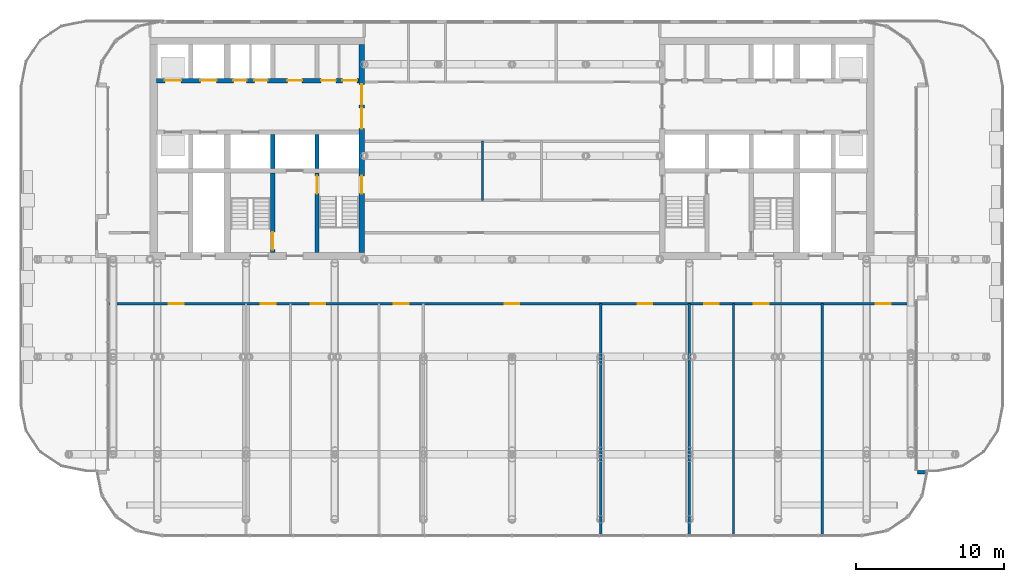
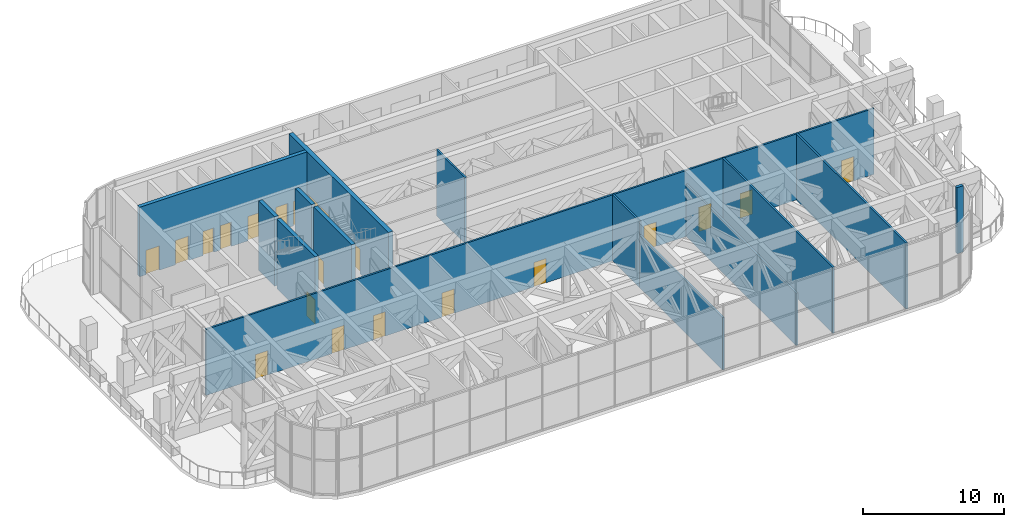
# One storey, part 17 of 25: 21 doors, 14 walls, 21 openings.
"""IFC4 building model written with IfcOpenShell, lengths in metres."""

import ifcopenshell
import ifcopenshell.guid

model = None  # the IFC model being written
_history = None  # IfcOwnerHistory: only IFC2X3 demands one
_inside = {}  # id of a spatial element -> (the spatial element, [elements in it])
_under = {}  # id of a project, library or spatial element -> (it, [spatial elements below it])
_declared = {}  # id of a project -> (the project, [libraries it declares])
_typed = {}  # id of a type object -> (the type object, [elements of that type])
_made_of = {}  # id of a material, layer set ... -> (it, [elements and type objects made of it])


def new_model(schema):
    """Start an empty IFC model of exactly this schema.

    Asked for "IFC4X3", IfcOpenShell would pick the latest addendum, in which some entities
    have other attributes; the version numbers below select the first issue.
    IFC2X3 requires an IfcOwnerHistory on every rooted entity: one is made here for all.
    """
    global model, _history
    if schema == "IFC4X3":
        model = ifcopenshell.file(schema_version=(4, 3, 0, 0))
    else:
        model = ifcopenshell.file(schema=schema)
    _inside.clear()
    _under.clear()
    _declared.clear()
    _typed.clear()
    _made_of.clear()
    _history = None
    if model.schema == "IFC2X3":
        org = make("IfcOrganization", Name="unknown")
        user = make(
            "IfcPersonAndOrganization",
            ThePerson=make("IfcPerson", FamilyName="unknown"),
            TheOrganization=org,
        )
        app = make(
            "IfcApplication",
            ApplicationDeveloper=org,
            Version="unknown",
            ApplicationFullName="unknown",
            ApplicationIdentifier="unknown",
        )
        _history = make(
            "IfcOwnerHistory",
            OwningUser=user,
            OwningApplication=app,
            ChangeAction="ADDED",
            CreationDate=0,
        )
    return model


def make(cls, **values):
    """One entity of the class cls with the attributes given. An attribute that is None is left unset."""
    return model.create_entity(
        cls, **{name: value for name, value in values.items() if value is not None}
    )


def rooted(cls, **values):
    """An entity with a GlobalId (a new one), such as an element, a storey or a relation."""
    return make(cls, GlobalId=ifcopenshell.guid.new(), OwnerHistory=_history, **values)


def si_unit(unit_type, name, prefix=None):
    """IfcSIUnit, for example si_unit("LENGTHUNIT", "METRE", prefix="MILLI")."""
    return make("IfcSIUnit", UnitType=unit_type, Prefix=prefix, Name=name)


def assignment(units):
    """IfcUnitAssignment: the units of a project."""
    return None if units is None else make("IfcUnitAssignment", Units=units)


def point(xyz):
    """IfcCartesianPoint."""
    return None if xyz is None else make("IfcCartesianPoint", Coordinates=xyz)


def direction(xyz):
    """IfcDirection."""
    return None if xyz is None else make("IfcDirection", DirectionRatios=xyz)


def frame(location, z_axis=None, x_axis=None):
    """IfcAxis2Placement3D, a coordinate frame: its origin and axes. An axis left out is left unset."""
    return make(
        "IfcAxis2Placement3D",
        Location=point(location),
        Axis=direction(z_axis),
        RefDirection=direction(x_axis),
    )


def frame_2d(location, x_axis=None):
    """IfcAxis2Placement2D, a coordinate frame in the plane: its origin and x axis."""
    return make(
        "IfcAxis2Placement2D", Location=point(location), RefDirection=direction(x_axis)
    )


def origin():
    """The frame at (0, 0, 0) with its axes left unset."""
    return frame((0.0, 0.0, 0.0))


def place(relative_to, where):
    """IfcLocalPlacement: puts the frame where relative to a parent placement (None: the world)."""
    return make(
        "IfcLocalPlacement", PlacementRelTo=relative_to, RelativePlacement=where
    )


def context(
    kind, dimensions, precision=None, world=None, true_north=None, identifier=None
):
    """IfcGeometricRepresentationContext, for example the 3D "Model" context."""
    return make(
        "IfcGeometricRepresentationContext",
        ContextIdentifier=identifier,
        ContextType=kind,
        CoordinateSpaceDimension=dimensions,
        Precision=precision,
        WorldCoordinateSystem=world,
        TrueNorth=true_north,
    )


def subcontext(parent, identifier, kind, view, scale=None):
    """IfcGeometricRepresentationSubContext, for example "Body" below "Model"."""
    return make(
        "IfcGeometricRepresentationSubContext",
        ContextIdentifier=identifier,
        ContextType=kind,
        ParentContext=parent,
        TargetScale=scale,
        TargetView=view,
    )


def project(units=None, contexts=None):
    """IfcProject with its units and contexts."""
    return rooted(
        "IfcProject",
        Name="project",
        RepresentationContexts=contexts,
        UnitsInContext=assignment(units),
    )


def spatial(cls, under=None, at=None, **own):
    """A site, building, storey or space (cls), placed at a placement, below another one or the project."""
    s = rooted(cls, ObjectPlacement=at, **own)
    if under is not None:
        _under.setdefault(under.id(), (under, []))[1].append(s)
    return s


def profile(cls, at=None, kind="AREA", **sizes):
    """A parametric profile (cls). Its sizes go by their IFC names, for example OverallWidth=200.0."""
    return make(cls, ProfileType=kind, Position=at, **sizes)


def rectangle(**sizes):
    """IfcRectangleProfileDef."""
    return profile("IfcRectangleProfileDef", **sizes)


def extrude(swept, where, along, depth):
    """IfcExtrudedAreaSolid: the profile swept, set in the frame where, extruded along a direction by depth."""
    return make(
        "IfcExtrudedAreaSolid",
        SweptArea=swept,
        Position=where,
        ExtrudedDirection=direction(along),
        Depth=depth,
    )


def shape(context_of_items, identifier, shape_type, items):
    """IfcShapeRepresentation: the items that make up one representation, for example the "Body"."""
    return make(
        "IfcShapeRepresentation",
        ContextOfItems=context_of_items,
        RepresentationIdentifier=identifier,
        RepresentationType=shape_type,
        Items=items,
    )


def material(Name=None, Category=None):
    """IfcMaterial."""
    return make("IfcMaterial", Name=Name, Category=Category)


def layer(
    of_material, thickness, ventilated=None, Name=None, Category=None, Priority=None
):
    """IfcMaterialLayer: one layer of a wall or slab, of a material (None: an air gap)."""
    return make(
        "IfcMaterialLayer",
        Material=of_material,
        LayerThickness=thickness,
        IsVentilated=ventilated,
        Name=Name,
        Category=Category,
        Priority=Priority,
    )


def layer_set(layers, Name=None):
    """IfcMaterialLayerSet."""
    return make("IfcMaterialLayerSet", MaterialLayers=layers, LayerSetName=Name)


def made_of(thing, what):
    """Note that an element or type object is made of a material, layer set ...; save() writes the relation."""
    if what is not None:
        _made_of.setdefault(what.id(), (what, []))[1].append(thing)
    return thing


def type_object(cls, material=None, **own):
    """A type object (cls), such as IfcWallType, which elements share."""
    return made_of(rooted(cls, **own), material)


def element(
    cls,
    number,
    at=None,
    inside=None,
    cuts=None,
    type_object=None,
    material=None,
    context=None,
    identifier="Body",
    shape_type=None,
    held_by="IfcProductDefinitionShape",
    body=None,
    shapes=None,
    **own,
):
    """One element of the class cls, such as IfcWall. Its Tag is "e" and its number.

    at: its placement. inside: the storey or other place that contains it. cuts: it is an
    opening in that element (IfcRelVoidsElement). A single representation is given by context,
    identifier, shape_type and body (its items); several are given by shapes. held_by: the class
    of the entity that holds the representations. save() writes the other relations.
    """
    e = rooted(cls, Tag="e%d" % number, ObjectPlacement=at, **own)
    if body is not None:
        shapes = [shape(context, identifier, shape_type, body)]
    if shapes is not None:
        e.Representation = make(held_by, Representations=shapes)
    if inside is not None:
        _inside.setdefault(inside.id(), (inside, []))[1].append(e)
    if cuts is not None:
        rooted(
            "IfcRelVoidsElement", RelatingBuildingElement=cuts, RelatedOpeningElement=e
        )
    if type_object is not None:
        _typed.setdefault(type_object.id(), (type_object, []))[1].append(e)
    return made_of(e, material)


def fill(opening, filler):
    """IfcRelFillsElement: the door or window that sits in an opening."""
    return rooted(
        "IfcRelFillsElement",
        RelatingOpeningElement=opening,
        RelatedBuildingElement=filler,
    )


def aggregate(whole, parts):
    """IfcRelAggregates: a whole, such as a stair, and the parts it consists of."""
    return rooted("IfcRelAggregates", RelatingObject=whole, RelatedObjects=parts)


def save(model, path):
    """Write the relations noted so far, then the file.

    IfcRelAggregates (storeys below a building ...), IfcRelContainedInSpatialStructure (elements
    in a storey), IfcRelDefinesByType, IfcRelAssociatesMaterial and IfcRelDeclares: one each for
    every whole, place, type object, material and project.
    """
    for whole, parts in _under.values():
        aggregate(whole, parts)
    for where, things in _inside.values():
        rooted(
            "IfcRelContainedInSpatialStructure",
            RelatedElements=things,
            RelatingStructure=where,
        )
    for kind, things in _typed.values():
        rooted("IfcRelDefinesByType", RelatedObjects=things, RelatingType=kind)
    for what, things in _made_of.values():
        rooted("IfcRelAssociatesMaterial", RelatedObjects=things, RelatingMaterial=what)
    for by, libraries in _declared.values():
        rooted("IfcRelDeclares", RelatingContext=by, RelatedDefinitions=libraries)
    model.write(path)


model = new_model("IFC4")

# Units and contexts
model_context = context("Model", 3, precision=1e-05, world=origin(), true_north=direction((0.0, 1.0)))
body_context = subcontext(model_context, "Body", "Model", "MODEL_VIEW")
ifc_project = project(units=[si_unit("LENGTHUNIT", "METRE"), si_unit("AREAUNIT", "SQUARE_METRE"), si_unit("VOLUMEUNIT", "CUBIC_METRE"), si_unit("PLANEANGLEUNIT", "RADIAN"), si_unit("MASSUNIT", "GRAM", prefix="KILO")], contexts=[model_context])

# Site, building, storey
site_placement = place(None, origin())
site = spatial("IfcSite", under=ifc_project, at=site_placement, CompositionType="ELEMENT")
building_placement = place(site_placement, origin())
building = spatial("IfcBuilding", under=site, at=building_placement, Name="Torana Hotel and Residences", CompositionType="ELEMENT")
storey_placement = place(building_placement, frame((0.0, 0.0, 106.800048828125)))
storey = spatial("IfcBuildingStorey", under=building, at=storey_placement, Name="L27", CompositionType="ELEMENT", Elevation=106.800048828125)

# Wall, openings, doors
ifc_material_1 = material(Name="Concrete C70/85", Category="concrete")
ifc_layer_1 = layer(ifc_material_1, 0.300048828125)
ifc_layer_set_1 = layer_set([ifc_layer_1], Name="CORE WALL 300 C70/85")
wall_type_1 = type_object("IfcWallType", Name="CORE WALL 300 C70/85", PredefinedType="SHEAR", material=ifc_layer_set_1)
wall_1_placement = place(storey_placement, frame((-24.050048828125, -2.89990234375, 0.0), z_axis=(0.0, 0.0, 1.0), x_axis=(1.0, 0.0, 0.0)))
wall_1 = element("IfcWall", 1, at=wall_1_placement, inside=storey, type_object=wall_type_1, Name="Core wall W row-N", PredefinedType="SHEAR", context=body_context, shape_type="SweptSolid", body=[
    extrude(rectangle(XDim=13.699951171875, YDim=0.300048828125, at=frame_2d((6.85009765625, 0.0))), origin(), (0.0, 0.0, 1.0), 6.0),
])
opening_1_placement = place(wall_1_placement, frame((2.949951171875, 0.0, 0.0)))
opening_1 = element("IfcOpeningElement", 2, at=opening_1_placement, cuts=wall_1, Name="Opening LD", PredefinedType="OPENING", context=body_context, shape_type="SweptSolid", body=[
    extrude(rectangle(XDim=1.10009765625, YDim=2.10009765625, at=frame_2d((0.550048828125, 1.050048828125))), frame((0.0, 0.159912109375, 0.0), z_axis=(0.0, -1.0, 0.0), x_axis=(1.0, 0.0, 0.0)), (0.0, 0.0, 1.0), 0.320068359375),
])
opening_2_placement = place(wall_1_placement, frame((0.550048828125, 0.0, 0.0)))
opening_2 = element("IfcOpeningElement", 3, at=opening_2_placement, cuts=wall_1, Name="Opening LD", PredefinedType="OPENING", context=body_context, shape_type="SweptSolid", body=[
    extrude(rectangle(XDim=1.10009765625, YDim=2.10009765625, at=frame_2d((0.550048828125, 1.050048828125))), frame((0.0, 0.159912109375, 0.0), z_axis=(0.0, -1.0, 0.0), x_axis=(1.0, 0.0, 0.0)), (0.0, 0.0, 1.0), 0.320068359375),
])
opening_3_placement = place(wall_1_placement, frame((6.612548828125, 0.0, 0.0)))
opening_3 = element("IfcOpeningElement", 4, at=opening_3_placement, cuts=wall_1, Name="Opening L27-08", PredefinedType="OPENING", context=body_context, shape_type="SweptSolid", body=[
    extrude(rectangle(XDim=0.89990234375, YDim=2.10009765625, at=frame_2d((0.449951171875, 1.050048828125))), frame((0.0, 0.159912109375, 0.0), z_axis=(0.0, -1.0, 0.0), x_axis=(1.0, 0.0, 0.0)), (0.0, 0.0, 1.0), 0.320068359375),
])
opening_4_placement = place(wall_1_placement, frame((5.1875, 0.0, 0.0)))
opening_4 = element("IfcOpeningElement", 5, at=opening_4_placement, cuts=wall_1, Name="Opening L27-09", PredefinedType="OPENING", context=body_context, shape_type="SweptSolid", body=[
    extrude(rectangle(XDim=0.89990234375, YDim=2.10009765625, at=frame_2d((0.449951171875, 1.050048828125))), frame((0.0, 0.159912109375, 0.0), z_axis=(0.0, -1.0, 0.0), x_axis=(1.0, 0.0, 0.0)), (0.0, 0.0, 1.0), 0.320068359375),
])
opening_5_placement = place(wall_1_placement, frame((12.5625, 0.0, 0.0)))
opening_5 = element("IfcOpeningElement", 6, at=opening_5_placement, cuts=wall_1, Name="Opening L27-10", PredefinedType="OPENING", context=body_context, shape_type="SweptSolid", body=[
    extrude(rectangle(XDim=1.0, YDim=2.10009765625, at=frame_2d((0.5, 1.050048828125))), frame((0.0, 0.159912109375, 0.0), z_axis=(0.0, -1.0, 0.0), x_axis=(1.0, 0.0, 0.0)), (0.0, 0.0, 1.0), 0.320068359375),
])
opening_6_placement = place(wall_1_placement, frame((11.137451171875, 0.0, 0.0)))
opening_6 = element("IfcOpeningElement", 7, at=opening_6_placement, cuts=wall_1, Name="Opening L27-11", PredefinedType="OPENING", context=body_context, shape_type="SweptSolid", body=[
    extrude(rectangle(XDim=1.0, YDim=2.10009765625, at=frame_2d((0.5, 1.050048828125))), frame((0.0, 0.159912109375, 0.0), z_axis=(0.0, -1.0, 0.0), x_axis=(1.0, 0.0, 0.0)), (0.0, 0.0, 1.0), 0.320068359375),
])
opening_7_placement = place(wall_1_placement, frame((8.85009765625, 0.0, 0.0)))
opening_7 = element("IfcOpeningElement", 8, at=opening_7_placement, cuts=wall_1, Name="Opening L27-12", PredefinedType="OPENING", context=body_context, shape_type="SweptSolid", body=[
    extrude(rectangle(XDim=1.0, YDim=2.10009765625, at=frame_2d((0.5, 1.050048828125))), frame((0.0, 0.159912109375, 0.0), z_axis=(0.0, -1.0, 0.0), x_axis=(1.0, 0.0, 0.0)), (0.0, 0.0, 1.0), 0.320068359375),
])
ifc_material_2 = material(Name="Steel S235", Category="steel")
door_type_1 = type_object("IfcDoorType", Name="CORE ROOM FIRE DOOR D14 1000x2100", OperationType="SINGLE_SWING_LEFT", PredefinedType="DOOR", material=ifc_material_2)
door_1_placement = place(opening_5_placement, origin())
door_1 = element("IfcDoor", 9, at=door_1_placement, inside=storey, type_object=door_type_1, Name="N0A door L27", OperationType="SINGLE_SWING_RIGHT", OverallHeight=2.10009765625, OverallWidth=1.0, PredefinedType="DOOR", context=body_context, shape_type="SweptSolid", body=[
    extrude(rectangle(XDim=1.0, YDim=2.10009765625, at=frame_2d((0.5, 1.050048828125))), frame((0.0, 0.02490234375, 0.0), z_axis=(0.0, -1.0, 0.0), x_axis=(1.0, 0.0, 0.0)), (0.0, 0.0, 1.0), 0.050048828125),
])
fill(opening_5, door_1)
door_2_placement = place(opening_6_placement, origin())
door_2 = element("IfcDoor", 10, at=door_2_placement, inside=storey, type_object=door_type_1, Name="N0B door L27", OperationType="SINGLE_SWING_RIGHT", OverallHeight=2.10009765625, OverallWidth=1.0, PredefinedType="DOOR", context=body_context, shape_type="SweptSolid", body=[
    extrude(rectangle(XDim=1.0, YDim=2.10009765625, at=frame_2d((0.5, 1.050048828125))), frame((0.0, 0.02490234375, 0.0), z_axis=(0.0, -1.0, 0.0), x_axis=(1.0, 0.0, 0.0)), (0.0, 0.0, 1.0), 0.050048828125),
])
fill(opening_6, door_2)
door_3_placement = place(opening_7_placement, origin())
door_3 = element("IfcDoor", 11, at=door_3_placement, inside=storey, type_object=door_type_1, Name="N1 door L27", OperationType="SINGLE_SWING_RIGHT", OverallHeight=2.10009765625, OverallWidth=1.0, PredefinedType="DOOR", context=body_context, shape_type="SweptSolid", body=[
    extrude(rectangle(XDim=1.0, YDim=2.10009765625, at=frame_2d((0.5, 1.050048828125))), frame((0.0, 0.02490234375, 0.0), z_axis=(0.0, -1.0, 0.0), x_axis=(1.0, 0.0, 0.0)), (0.0, 0.0, 1.0), 0.050048828125),
])
fill(opening_7, door_3)
ifc_material_3 = material(Name="Stainless steel 316", Category="steel")
door_type_2 = type_object("IfcDoorType", Name="LIFT LANDING DOOR LD 1100x2100", OperationType="DOUBLE_DOOR_SLIDING", PredefinedType="USERDEFINED", material=ifc_material_3)
door_4_placement = place(opening_1_placement, origin())
door_4 = element("IfcDoor", 12, at=door_4_placement, inside=storey, type_object=door_type_2, Name="Lift landing door S1 L27", ObjectType="LIFT LANDING DOOR", OperationType="DOUBLE_DOOR_SLIDING", OverallHeight=2.10009765625, OverallWidth=1.10009765625, PredefinedType="USERDEFINED", context=body_context, shape_type="SweptSolid", body=[
    extrude(rectangle(XDim=1.10009765625, YDim=2.10009765625, at=frame_2d((0.550048828125, 1.050048828125))), frame((0.0, 0.02490234375, 0.0), z_axis=(0.0, -1.0, 0.0), x_axis=(1.0, 0.0, 0.0)), (0.0, 0.0, 1.0), 0.050048828125),
])
fill(opening_1, door_4)
door_5_placement = place(opening_2_placement, origin())
door_5 = element("IfcDoor", 13, at=door_5_placement, inside=storey, type_object=door_type_2, Name="Lift landing door M1 L27", ObjectType="LIFT LANDING DOOR", OperationType="DOUBLE_DOOR_SLIDING", OverallHeight=2.10009765625, OverallWidth=1.10009765625, PredefinedType="USERDEFINED", context=body_context, shape_type="SweptSolid", body=[
    extrude(rectangle(XDim=1.10009765625, YDim=2.10009765625, at=frame_2d((0.550048828125, 1.050048828125))), frame((0.0, 0.02490234375, 0.0), z_axis=(0.0, -1.0, 0.0), x_axis=(1.0, 0.0, 0.0)), (0.0, 0.0, 1.0), 0.050048828125),
])
fill(opening_2, door_5)
ifc_material_4 = material(Name="Steel S235", Category="steel")
door_type_3 = type_object("IfcDoorType", Name="RISER ACCESS DOOR D5 900x2100", OperationType="SINGLE_SWING_LEFT", PredefinedType="DOOR", material=ifc_material_4)
door_6_placement = place(opening_3_placement, origin())
door_6 = element("IfcDoor", 14, at=door_6_placement, inside=storey, type_object=door_type_3, Name="N2A door L27", OperationType="SINGLE_SWING_RIGHT", OverallHeight=2.10009765625, OverallWidth=0.89990234375, PredefinedType="DOOR", context=body_context, shape_type="SweptSolid", body=[
    extrude(rectangle(XDim=0.89990234375, YDim=2.10009765625, at=frame_2d((0.449951171875, 1.050048828125))), frame((0.0, 0.02490234375, 0.0), z_axis=(0.0, -1.0, 0.0), x_axis=(1.0, 0.0, 0.0)), (0.0, 0.0, 1.0), 0.050048828125),
])
fill(opening_3, door_6)
door_7_placement = place(opening_4_placement, origin())
door_7 = element("IfcDoor", 15, at=door_7_placement, inside=storey, type_object=door_type_3, Name="N2B door L27", OperationType="SINGLE_SWING_RIGHT", OverallHeight=2.10009765625, OverallWidth=0.89990234375, PredefinedType="DOOR", context=body_context, shape_type="SweptSolid", body=[
    extrude(rectangle(XDim=0.89990234375, YDim=2.10009765625, at=frame_2d((0.449951171875, 1.050048828125))), frame((0.0, 0.02490234375, 0.0), z_axis=(0.0, -1.0, 0.0), x_axis=(1.0, 0.0, 0.0)), (0.0, 0.0, 1.0), 0.050048828125),
])
fill(opening_4, door_7)

# Wall
wall_2_placement = place(storey_placement, frame((-13.199951171875, -8.85009765625, 0.0), z_axis=(0.0, 0.0, 1.0), x_axis=(0.0, 1.0, 0.0)))
element("IfcWall", 16, at=wall_2_placement, inside=storey, type_object=wall_type_1, Name="Core wall W x3.05-S", PredefinedType="SHEAR", context=body_context, shape_type="SweptSolid", body=[
    extrude(rectangle(XDim=2.300048828125, YDim=0.300048828125, at=frame_2d((1.14990234375, 0.0))), origin(), (0.0, 0.0, 1.0), 6.0),
])

# Wall, opening, door
wall_3_placement = place(storey_placement, frame((-13.199951171875, -14.550048828125, 0.0), z_axis=(0.0, 0.0, 1.0), x_axis=(0.0, 1.0, 0.0)))
wall_3 = element("IfcWall", 17, at=wall_3_placement, inside=storey, type_object=wall_type_1, Name="Core wall W x3.05-band", PredefinedType="SHEAR", context=body_context, shape_type="SweptSolid", body=[
    extrude(rectangle(XDim=5.400146484375, YDim=0.300048828125, at=frame_2d((2.7001953125, 0.0))), origin(), (0.0, 0.0, 1.0), 6.0),
])
opening_8_placement = place(wall_3_placement, frame((4.0, 0.0, 0.0)))
opening_8 = element("IfcOpeningElement", 18, at=opening_8_placement, cuts=wall_3, Name="Opening L27-13", PredefinedType="OPENING", context=body_context, shape_type="SweptSolid", body=[
    extrude(rectangle(XDim=1.199951171875, YDim=2.10009765625, at=frame_2d((0.60009765625, 1.050048828125))), frame((0.0, 0.159912109375, 0.0), z_axis=(0.0, -1.0, 0.0), x_axis=(1.0, 0.0, 0.0)), (0.0, 0.0, 1.0), 0.320068359375),
])
ifc_material_5 = material(Name="Steel S235", Category="steel")
door_type_4 = type_object("IfcDoorType", Name="STAIR FIRE DOOR D3 1200x2100", OperationType="SINGLE_SWING_LEFT", PredefinedType="DOOR", material=ifc_material_5)
door_8_placement = place(opening_8_placement, frame((0.60009765625, 0.0, 0.0), z_axis=(0.0, 0.0, 1.0), x_axis=(-1.0, 0.0, 0.0)))
door_8 = element("IfcDoor", 19, at=door_8_placement, inside=storey, type_object=door_type_4, Name="Stair-A-lobby door L27", OperationType="SINGLE_SWING_RIGHT", OverallHeight=2.10009765625, OverallWidth=1.199951171875, PredefinedType="DOOR", context=body_context, shape_type="SweptSolid", body=[
    extrude(rectangle(XDim=1.199951171875, YDim=2.10009765625, at=frame_2d((0.0, 1.050048828125))), frame((0.0, -0.02490234375, 0.0), z_axis=(0.0, 1.0, 0.0), x_axis=(-1.0, 0.0, 0.0)), (0.0, 0.0, 1.0), 0.050048828125),
])
fill(opening_8, door_8)

# Wall
wall_4_placement = place(storey_placement, frame((-16.199951171875, -8.85009765625, 0.0), z_axis=(0.0, 0.0, 1.0), x_axis=(0.0, 1.0, 0.0)))
element("IfcWall", 20, at=wall_4_placement, inside=storey, type_object=wall_type_1, Name="Core wall W x6.05-S", PredefinedType="SHEAR", context=body_context, shape_type="SweptSolid", body=[
    extrude(rectangle(XDim=2.300048828125, YDim=0.300048828125, at=frame_2d((1.14990234375, 0.0))), origin(), (0.0, 0.0, 1.0), 6.0),
])

# Wall, opening, door
wall_5_placement = place(storey_placement, frame((-16.199951171875, -14.550048828125, 0.0), z_axis=(0.0, 0.0, 1.0), x_axis=(0.0, 1.0, 0.0)))
wall_5 = element("IfcWall", 21, at=wall_5_placement, inside=storey, type_object=wall_type_1, Name="Core wall W x6.05-band", PredefinedType="SHEAR", context=body_context, shape_type="SweptSolid", body=[
    extrude(rectangle(XDim=5.400146484375, YDim=0.300048828125, at=frame_2d((2.7001953125, 0.0))), origin(), (0.0, 0.0, 1.0), 6.0),
])
opening_9_placement = place(wall_5_placement, frame((0.199951171875, 0.0, 0.0)))
opening_9 = element("IfcOpeningElement", 22, at=opening_9_placement, cuts=wall_5, Name="Opening L27-14", PredefinedType="OPENING", context=body_context, shape_type="SweptSolid", body=[
    extrude(rectangle(XDim=1.199951171875, YDim=2.10009765625, at=frame_2d((0.60009765625, 1.050048828125))), frame((0.0, 0.159912109375, 0.0), z_axis=(0.0, -1.0, 0.0), x_axis=(1.0, 0.0, 0.0)), (0.0, 0.0, 1.0), 0.320068359375),
])
door_9_placement = place(opening_9_placement, origin())
door_9 = element("IfcDoor", 23, at=door_9_placement, inside=storey, type_object=door_type_4, Name="Stair-B-lobby door L27", OperationType="SINGLE_SWING_RIGHT", OverallHeight=2.10009765625, OverallWidth=1.199951171875, PredefinedType="DOOR", context=body_context, shape_type="SweptSolid", body=[
    extrude(rectangle(XDim=1.199951171875, YDim=2.10009765625, at=frame_2d((0.60009765625, 1.050048828125))), frame((0.0, 0.02490234375, 0.0), z_axis=(0.0, -1.0, 0.0), x_axis=(1.0, 0.0, 0.0)), (0.0, 0.0, 1.0), 0.050048828125),
])
fill(opening_9, door_9)

# Wall, openings, doors
ifc_material_6 = material(Name="Concrete C70/85", Category="concrete")
ifc_layer_2 = layer(ifc_material_6, 0.35009765625)
ifc_layer_set_2 = layer_set([ifc_layer_2], Name="CORE WALL 350 C70/85")
wall_type_2 = type_object("IfcWallType", Name="CORE WALL 350 C70/85", PredefinedType="SHEAR", material=ifc_layer_set_2)
wall_6_placement = place(storey_placement, frame((-10.175048828125, -14.550048828125, 0.0), z_axis=(0.0, 0.0, 1.0), x_axis=(0.0, 1.0, 0.0)))
wall_6 = element("IfcWall", 24, at=wall_6_placement, inside=storey, type_object=wall_type_2, Name="Core wall W arch", PredefinedType="SHEAR", context=body_context, shape_type="SweptSolid", body=[
    extrude(rectangle(XDim=14.10009765625, YDim=0.35009765625, at=frame_2d((7.050048828125, 0.0))), origin(), (0.0, 0.0, 1.0), 6.0),
])
opening_10_placement = place(wall_6_placement, frame((8.39990234375, 0.0, 0.0)))
opening_10 = element("IfcOpeningElement", 25, at=opening_10_placement, cuts=wall_6, Name="Opening L27-01", PredefinedType="OPENING", context=body_context, shape_type="SweptSolid", body=[
    extrude(rectangle(XDim=1.39990234375, YDim=2.39990234375, at=frame_2d((0.699951171875, 1.199951171875))), frame((0.0, 0.18505859375, 0.0), z_axis=(0.0, -1.0, 0.0), x_axis=(1.0, 0.0, 0.0)), (0.0, 0.0, 1.0), 0.3701171875),
])
opening_11_placement = place(wall_6_placement, frame((10.0, 0.0, 0.0)))
opening_11 = element("IfcOpeningElement", 26, at=opening_11_placement, cuts=wall_6, Name="Opening L27-02", PredefinedType="OPENING", context=body_context, shape_type="SweptSolid", body=[
    extrude(rectangle(XDim=1.39990234375, YDim=2.39990234375, at=frame_2d((0.699951171875, 1.199951171875))), frame((0.0, 0.18505859375, 0.0), z_axis=(0.0, -1.0, 0.0), x_axis=(1.0, 0.0, 0.0)), (0.0, 0.0, 1.0), 0.3701171875),
])
opening_12_placement = place(wall_6_placement, frame((4.0, 0.0, 0.0)))
opening_12 = element("IfcOpeningElement", 27, at=opening_12_placement, cuts=wall_6, Name="Opening L27-03", PredefinedType="OPENING", context=body_context, shape_type="SweptSolid", body=[
    extrude(rectangle(XDim=1.199951171875, YDim=2.10009765625, at=frame_2d((0.60009765625, 1.050048828125))), frame((0.0, 0.18505859375, 0.0), z_axis=(0.0, -1.0, 0.0), x_axis=(1.0, 0.0, 0.0)), (0.0, 0.0, 1.0), 0.3701171875),
])
ifc_material_7 = material(Name="Steel S235", Category="steel")
door_type_5 = type_object("IfcDoorType", Name="LOBBY FIRE DOOR D4 1400x2400", OperationType="DOUBLE_DOOR_SINGLE_SWING", PredefinedType="DOOR", material=ifc_material_7)
door_10_placement = place(opening_10_placement, origin())
door_10 = element("IfcDoor", 28, at=door_10_placement, inside=storey, type_object=door_type_5, Name="Lobby-1 door L27", OperationType="DOUBLE_DOOR_SINGLE_SWING", OverallHeight=2.39990234375, OverallWidth=1.39990234375, PredefinedType="DOOR", context=body_context, shape_type="SweptSolid", body=[
    extrude(rectangle(XDim=1.39990234375, YDim=2.39990234375, at=frame_2d((0.699951171875, 1.199951171875))), frame((0.0, 0.02490234375, 0.0), z_axis=(0.0, -1.0, 0.0), x_axis=(1.0, 0.0, 0.0)), (0.0, 0.0, 1.0), 0.050048828125),
])
fill(opening_10, door_10)
door_11_placement = place(opening_11_placement, origin())
door_11 = element("IfcDoor", 29, at=door_11_placement, inside=storey, type_object=door_type_5, Name="Lobby-2 door L27", OperationType="DOUBLE_DOOR_SINGLE_SWING", OverallHeight=2.39990234375, OverallWidth=1.39990234375, PredefinedType="DOOR", context=body_context, shape_type="SweptSolid", body=[
    extrude(rectangle(XDim=1.39990234375, YDim=2.39990234375, at=frame_2d((0.699951171875, 1.199951171875))), frame((0.0, 0.02490234375, 0.0), z_axis=(0.0, -1.0, 0.0), x_axis=(1.0, 0.0, 0.0)), (0.0, 0.0, 1.0), 0.050048828125),
])
fill(opening_11, door_11)
door_12_placement = place(opening_12_placement, origin())
door_12 = element("IfcDoor", 30, at=door_12_placement, inside=storey, type_object=door_type_4, Name="Stair-A door L27", OperationType="SINGLE_SWING_LEFT", OverallHeight=2.10009765625, OverallWidth=1.199951171875, PredefinedType="DOOR", context=body_context, shape_type="SweptSolid", body=[
    extrude(rectangle(XDim=1.199951171875, YDim=2.10009765625, at=frame_2d((0.60009765625, 1.050048828125))), frame((0.0, 0.02490234375, 0.0), z_axis=(0.0, -1.0, 0.0), x_axis=(1.0, 0.0, 0.0)), (0.0, 0.0, 1.0), 0.050048828125),
])
fill(opening_12, door_12)

# Walls
ifc_material_8 = material(Name="Black aluminium composite panel", Category="aluminium")
ifc_layer_3 = layer(ifc_material_8, 0.00390625, Name="Cladding", Category="cladding")
ifc_material_9 = material(Name="Ventilated air cavity")
ifc_layer_4 = layer(ifc_material_9, 0.0400390625, Name="Ventilated cavity", Category="cavity")
ifc_material_10 = material(Name="Mineral wool insulation")
ifc_layer_5 = layer(ifc_material_10, 0.090087890625, Name="Insulation", Category="insulation")
ifc_material_11 = material(Name="Steel S280GD", Category="steel")
ifc_layer_6 = layer(ifc_material_11, 0.092041015625, Name="Steel stud frame", Category="structure")
ifc_material_12 = material(Name="Fire rated plasterboard")
ifc_layer_7 = layer(ifc_material_12, 0.011962890625, Name="Inner board", Category="finish")
ifc_layer_8 = layer(ifc_material_12, 0.011962890625, Name="Second board", Category="finish")
ifc_layer_set_3 = layer_set([ifc_layer_3, ifc_layer_4, ifc_layer_5, ifc_layer_6, ifc_layer_7, ifc_layer_8], Name="EW1 EXTERNAL WALL BLACK METAL CLAD 250")
wall_type_3 = type_object("IfcWallType", Name="EW1 EXTERNAL WALL BLACK METAL CLAD 250", PredefinedType="SOLIDWALL", material=ifc_layer_set_3)
wall_7_placement = place(storey_placement, frame((27.455078125, -29.400390625, 0.0), z_axis=(0.0, 0.0, 1.0), x_axis=(1.0, 0.0, 0.0)))
element("IfcWall", 31, at=wall_7_placement, inside=storey, type_object=wall_type_3, Name="External wall L27 e0.19 return 1", PredefinedType="SOLIDWALL", context=body_context, shape_type="SweptSolid", body=[
    extrude(rectangle(XDim=0.52490234375, YDim=0.25, at=frame_2d((0.262451171875, 0.0))), origin(), (0.0, 0.0, 1.0), 5.719970703125),
])
ifc_material_13 = material(Name="Gypsum plaster")
ifc_layer_9 = layer(ifc_material_13, 0.014892578125, Name="Plaster", Category="finish")
ifc_material_14 = material(Name="Concrete blockwork", Category="masonry")
ifc_layer_10 = layer(ifc_material_14, 0.1201171875, Name="Blockwork", Category="structure")
ifc_layer_11 = layer(ifc_material_13, 0.014892578125, Name="Plaster", Category="finish")
ifc_layer_set_4 = layer_set([ifc_layer_9, ifc_layer_10, ifc_layer_11], Name="FIRE PARTITION 150 BLOCKWORK")
wall_type_4 = type_object("IfcWallType", Name="FIRE PARTITION 150 BLOCKWORK", PredefinedType="PARTITIONING", material=ifc_layer_set_4)
wall_8_placement = place(storey_placement, frame((-2.0, -11.0, 0.0), z_axis=(0.0, 0.0, 1.0), x_axis=(0.0, 1.0, 0.0)))
element("IfcWall", 32, at=wall_8_placement, inside=storey, type_object=wall_type_4, Name="Partition L27", PredefinedType="PARTITIONING", context=body_context, shape_type="SweptSolid", body=[
    extrude(rectangle(XDim=4.0, YDim=0.14990234375, at=frame_2d((2.0, 0.0))), origin(), (0.0, 0.0, 1.0), 5.699951171875),
])

# Wall, openings, doors
wall_9_placement = place(storey_placement, frame((-27.27490234375, -18.0, 0.0), z_axis=(0.0, 0.0, 1.0), x_axis=(1.0, 0.0, 0.0)))
wall_9 = element("IfcWall", 33, at=wall_9_placement, inside=storey, type_object=wall_type_4, Name="Partition L27", PredefinedType="PARTITIONING", context=body_context, shape_type="SweptSolid", body=[
    extrude(rectangle(XDim=54.5498046875, YDim=0.14990234375, at=frame_2d((27.27490234375, 0.0))), origin(), (0.0, 0.0, 1.0), 5.699951171875),
])
opening_13_placement = place(wall_9_placement, frame((4.048095703125, 0.0, 0.0)))
opening_13 = element("IfcOpeningElement", 34, at=opening_13_placement, cuts=wall_9, Name="Opening L27-32", PredefinedType="OPENING", context=body_context, shape_type="SweptSolid", body=[
    extrude(rectangle(XDim=1.0, YDim=2.10009765625, at=frame_2d((0.5, 1.050048828125))), frame((0.0, 0.0849609375, 0.0), z_axis=(0.0, -1.0, 0.0), x_axis=(1.0, 0.0, 0.0)), (0.0, 0.0, 1.0), 0.169921875),
])
opening_14_placement = place(wall_9_placement, frame((10.27490234375, 0.0, 0.0)))
opening_14 = element("IfcOpeningElement", 35, at=opening_14_placement, cuts=wall_9, Name="Opening L27-33", PredefinedType="OPENING", context=body_context, shape_type="SweptSolid", body=[
    extrude(rectangle(XDim=1.0, YDim=2.10009765625, at=frame_2d((0.5, 1.050048828125))), frame((0.0, 0.0849609375, 0.0), z_axis=(0.0, -1.0, 0.0), x_axis=(1.0, 0.0, 0.0)), (0.0, 0.0, 1.0), 0.169921875),
])
opening_15_placement = place(wall_9_placement, frame((13.64990234375, 0.0, 0.0)))
opening_15 = element("IfcOpeningElement", 36, at=opening_15_placement, cuts=wall_9, Name="Opening L27-34", PredefinedType="OPENING", context=body_context, shape_type="SweptSolid", body=[
    extrude(rectangle(XDim=1.0, YDim=2.10009765625, at=frame_2d((0.5, 1.050048828125))), frame((0.0, 0.0849609375, 0.0), z_axis=(0.0, -1.0, 0.0), x_axis=(1.0, 0.0, 0.0)), (0.0, 0.0, 1.0), 0.169921875),
])
opening_16_placement = place(wall_9_placement, frame((19.27490234375, 0.0, 0.0)))
opening_16 = element("IfcOpeningElement", 37, at=opening_16_placement, cuts=wall_9, Name="Opening L27-35", PredefinedType="OPENING", context=body_context, shape_type="SweptSolid", body=[
    extrude(rectangle(XDim=1.0, YDim=2.10009765625, at=frame_2d((0.5, 1.050048828125))), frame((0.0, 0.0849609375, 0.0), z_axis=(0.0, -1.0, 0.0), x_axis=(1.0, 0.0, 0.0)), (0.0, 0.0, 1.0), 0.169921875),
])
opening_17_placement = place(wall_9_placement, frame((26.77490234375, 0.0, 0.0)))
opening_17 = element("IfcOpeningElement", 38, at=opening_17_placement, cuts=wall_9, Name="Opening L27-36", PredefinedType="OPENING", context=body_context, shape_type="SweptSolid", body=[
    extrude(rectangle(XDim=1.0, YDim=2.10009765625, at=frame_2d((0.5, 1.050048828125))), frame((0.0, 0.0849609375, 0.0), z_axis=(0.0, -1.0, 0.0), x_axis=(1.0, 0.0, 0.0)), (0.0, 0.0, 1.0), 0.169921875),
])
opening_18_placement = place(wall_9_placement, frame((35.77490234375, 0.0, 0.0)))
opening_18 = element("IfcOpeningElement", 39, at=opening_18_placement, cuts=wall_9, Name="Opening L27-37", PredefinedType="OPENING", context=body_context, shape_type="SweptSolid", body=[
    extrude(rectangle(XDim=1.0, YDim=2.10009765625, at=frame_2d((0.5, 1.050048828125))), frame((0.0, 0.0849609375, 0.0), z_axis=(0.0, -1.0, 0.0), x_axis=(1.0, 0.0, 0.0)), (0.0, 0.0, 1.0), 0.169921875),
])
opening_19_placement = place(wall_9_placement, frame((40.27490234375, 0.0, 0.0)))
opening_19 = element("IfcOpeningElement", 40, at=opening_19_placement, cuts=wall_9, Name="Opening L27-38", PredefinedType="OPENING", context=body_context, shape_type="SweptSolid", body=[
    extrude(rectangle(XDim=1.0, YDim=2.10009765625, at=frame_2d((0.5, 1.050048828125))), frame((0.0, 0.0849609375, 0.0), z_axis=(0.0, -1.0, 0.0), x_axis=(1.0, 0.0, 0.0)), (0.0, 0.0, 1.0), 0.169921875),
])
opening_20_placement = place(wall_9_placement, frame((43.64990234375, 0.0, 0.0)))
opening_20 = element("IfcOpeningElement", 41, at=opening_20_placement, cuts=wall_9, Name="Opening L27-39", PredefinedType="OPENING", context=body_context, shape_type="SweptSolid", body=[
    extrude(rectangle(XDim=1.0, YDim=2.10009765625, at=frame_2d((0.5, 1.050048828125))), frame((0.0, 0.0849609375, 0.0), z_axis=(0.0, -1.0, 0.0), x_axis=(1.0, 0.0, 0.0)), (0.0, 0.0, 1.0), 0.169921875),
])
opening_21_placement = place(wall_9_placement, frame((51.89990234375, 0.0, 0.0)))
opening_21 = element("IfcOpeningElement", 42, at=opening_21_placement, cuts=wall_9, Name="Opening L27-40", PredefinedType="OPENING", context=body_context, shape_type="SweptSolid", body=[
    extrude(rectangle(XDim=1.0, YDim=2.10009765625, at=frame_2d((0.5, 1.050048828125))), frame((0.0, 0.0849609375, 0.0), z_axis=(0.0, -1.0, 0.0), x_axis=(1.0, 0.0, 0.0)), (0.0, 0.0, 1.0), 0.169921875),
])
ifc_material_15 = material(Name="Steel S235", Category="steel")
door_type_6 = type_object("IfcDoorType", Name="ENTRY FIRE DOOR D6 1000x2100", OperationType="SINGLE_SWING_LEFT", PredefinedType="DOOR", material=ifc_material_15)
door_13_placement = place(opening_13_placement, frame((0.5, 0.0, 0.0), z_axis=(0.0, 0.0, 1.0), x_axis=(-1.0, 0.0, 0.0)))
door_13 = element("IfcDoor", 43, at=door_13_placement, inside=storey, type_object=door_type_6, Name="Door L27", OperationType="SINGLE_SWING_LEFT", OverallHeight=2.10009765625, OverallWidth=1.0, PredefinedType="DOOR", context=body_context, shape_type="SweptSolid", body=[
    extrude(rectangle(XDim=1.0, YDim=2.10009765625, at=frame_2d((0.0, 1.050048828125))), frame((0.0, -0.02490234375, 0.0), z_axis=(0.0, 1.0, 0.0), x_axis=(-1.0, 0.0, 0.0)), (0.0, 0.0, 1.0), 0.050048828125),
])
fill(opening_13, door_13)
door_14_placement = place(opening_14_placement, frame((0.5, 0.0, 0.0), z_axis=(0.0, 0.0, 1.0), x_axis=(-1.0, 0.0, 0.0)))
door_14 = element("IfcDoor", 44, at=door_14_placement, inside=storey, type_object=door_type_6, Name="Door L27", OperationType="SINGLE_SWING_LEFT", OverallHeight=2.10009765625, OverallWidth=1.0, PredefinedType="DOOR", context=body_context, shape_type="SweptSolid", body=[
    extrude(rectangle(XDim=1.0, YDim=2.10009765625, at=frame_2d((0.0, 1.050048828125))), frame((0.0, -0.02490234375, 0.0), z_axis=(0.0, 1.0, 0.0), x_axis=(-1.0, 0.0, 0.0)), (0.0, 0.0, 1.0), 0.050048828125),
])
fill(opening_14, door_14)
door_15_placement = place(opening_15_placement, frame((0.5, 0.0, 0.0), z_axis=(0.0, 0.0, 1.0), x_axis=(-1.0, 0.0, 0.0)))
door_15 = element("IfcDoor", 45, at=door_15_placement, inside=storey, type_object=door_type_6, Name="Door L27", OperationType="SINGLE_SWING_LEFT", OverallHeight=2.10009765625, OverallWidth=1.0, PredefinedType="DOOR", context=body_context, shape_type="SweptSolid", body=[
    extrude(rectangle(XDim=1.0, YDim=2.10009765625, at=frame_2d((0.0, 1.050048828125))), frame((0.0, -0.02490234375, 0.0), z_axis=(0.0, 1.0, 0.0), x_axis=(-1.0, 0.0, 0.0)), (0.0, 0.0, 1.0), 0.050048828125),
])
fill(opening_15, door_15)
door_16_placement = place(opening_16_placement, frame((0.5, 0.0, 0.0), z_axis=(0.0, 0.0, 1.0), x_axis=(-1.0, 0.0, 0.0)))
door_16 = element("IfcDoor", 46, at=door_16_placement, inside=storey, type_object=door_type_6, Name="Door L27", OperationType="SINGLE_SWING_LEFT", OverallHeight=2.10009765625, OverallWidth=1.0, PredefinedType="DOOR", context=body_context, shape_type="SweptSolid", body=[
    extrude(rectangle(XDim=1.0, YDim=2.10009765625, at=frame_2d((0.0, 1.050048828125))), frame((0.0, -0.02490234375, 0.0), z_axis=(0.0, 1.0, 0.0), x_axis=(-1.0, 0.0, 0.0)), (0.0, 0.0, 1.0), 0.050048828125),
])
fill(opening_16, door_16)
door_17_placement = place(opening_17_placement, frame((0.5, 0.0, 0.0), z_axis=(0.0, 0.0, 1.0), x_axis=(-1.0, 0.0, 0.0)))
door_17 = element("IfcDoor", 47, at=door_17_placement, inside=storey, type_object=door_type_6, Name="Door L27", OperationType="SINGLE_SWING_LEFT", OverallHeight=2.10009765625, OverallWidth=1.0, PredefinedType="DOOR", context=body_context, shape_type="SweptSolid", body=[
    extrude(rectangle(XDim=1.0, YDim=2.10009765625, at=frame_2d((0.0, 1.050048828125))), frame((0.0, -0.02490234375, 0.0), z_axis=(0.0, 1.0, 0.0), x_axis=(-1.0, 0.0, 0.0)), (0.0, 0.0, 1.0), 0.050048828125),
])
fill(opening_17, door_17)
door_18_placement = place(opening_18_placement, frame((0.5, 0.0, 0.0), z_axis=(0.0, 0.0, 1.0), x_axis=(-1.0, 0.0, 0.0)))
door_18 = element("IfcDoor", 48, at=door_18_placement, inside=storey, type_object=door_type_6, Name="Door L27", OperationType="SINGLE_SWING_LEFT", OverallHeight=2.10009765625, OverallWidth=1.0, PredefinedType="DOOR", context=body_context, shape_type="SweptSolid", body=[
    extrude(rectangle(XDim=1.0, YDim=2.10009765625, at=frame_2d((0.0, 1.050048828125))), frame((0.0, -0.02490234375, 0.0), z_axis=(0.0, 1.0, 0.0), x_axis=(-1.0, 0.0, 0.0)), (0.0, 0.0, 1.0), 0.050048828125),
])
fill(opening_18, door_18)
door_19_placement = place(opening_19_placement, frame((0.5, 0.0, 0.0), z_axis=(0.0, 0.0, 1.0), x_axis=(-1.0, 0.0, 0.0)))
door_19 = element("IfcDoor", 49, at=door_19_placement, inside=storey, type_object=door_type_6, Name="Door L27", OperationType="SINGLE_SWING_LEFT", OverallHeight=2.10009765625, OverallWidth=1.0, PredefinedType="DOOR", context=body_context, shape_type="SweptSolid", body=[
    extrude(rectangle(XDim=1.0, YDim=2.10009765625, at=frame_2d((0.0, 1.050048828125))), frame((0.0, -0.02490234375, 0.0), z_axis=(0.0, 1.0, 0.0), x_axis=(-1.0, 0.0, 0.0)), (0.0, 0.0, 1.0), 0.050048828125),
])
fill(opening_19, door_19)
door_20_placement = place(opening_20_placement, frame((0.5, 0.0, 0.0), z_axis=(0.0, 0.0, 1.0), x_axis=(-1.0, 0.0, 0.0)))
door_20 = element("IfcDoor", 50, at=door_20_placement, inside=storey, type_object=door_type_6, Name="Door L27", OperationType="SINGLE_SWING_LEFT", OverallHeight=2.10009765625, OverallWidth=1.0, PredefinedType="DOOR", context=body_context, shape_type="SweptSolid", body=[
    extrude(rectangle(XDim=1.0, YDim=2.10009765625, at=frame_2d((0.0, 1.050048828125))), frame((0.0, -0.02490234375, 0.0), z_axis=(0.0, 1.0, 0.0), x_axis=(-1.0, 0.0, 0.0)), (0.0, 0.0, 1.0), 0.050048828125),
])
fill(opening_20, door_20)
door_21_placement = place(opening_21_placement, frame((0.5, 0.0, 0.0), z_axis=(0.0, 0.0, 1.0), x_axis=(-1.0, 0.0, 0.0)))
door_21 = element("IfcDoor", 51, at=door_21_placement, inside=storey, type_object=door_type_6, Name="Door L27", OperationType="SINGLE_SWING_LEFT", OverallHeight=2.10009765625, OverallWidth=1.0, PredefinedType="DOOR", context=body_context, shape_type="SweptSolid", body=[
    extrude(rectangle(XDim=1.0, YDim=2.10009765625, at=frame_2d((0.0, 1.050048828125))), frame((0.0, -0.02490234375, 0.0), z_axis=(0.0, 1.0, 0.0), x_axis=(-1.0, 0.0, 0.0)), (0.0, 0.0, 1.0), 0.050048828125),
])
fill(opening_21, door_21)

# Walls
ifc_material_16 = material(Name="Gypsum plasterboard")
ifc_layer_12 = layer(ifc_material_16, 0.012451171875, Name="Plasterboard", Category="finish")
ifc_layer_13 = layer(ifc_material_16, 0.012451171875, Name="Plasterboard", Category="finish")
ifc_layer_14 = layer(ifc_material_11, 0.10009765625, Name="Steel studs with mineral wool", Category="insulation")
ifc_layer_15 = layer(ifc_material_16, 0.012451171875, Name="Plasterboard", Category="finish")
ifc_layer_16 = layer(ifc_material_16, 0.012451171875, Name="Plasterboard", Category="finish")
ifc_layer_set_5 = layer_set([ifc_layer_12, ifc_layer_13, ifc_layer_14, ifc_layer_15, ifc_layer_16], Name="PARTITION 150 PLASTERBOARD")
wall_type_5 = type_object("IfcWallType", Name="PARTITION 150 PLASTERBOARD", PredefinedType="PARTITIONING", material=ifc_layer_set_5)
for number, where, z_axis, x_axis, name in (
    (52, (21.0, -33.6201171875, 0.0), (0.0, 0.0, 1.0), (0.0, 1.0, 0.0), "Partition L27"),
    (53, (15.0, -33.6201171875, 0.0), (0.0, 0.0, 1.0), (0.0, 1.0, 0.0), "Partition L27"),
):
    element("IfcWall", number, at=place(storey_placement, frame(where, z_axis=z_axis, x_axis=x_axis)), inside=storey, type_object=wall_type_5, Name=name, PredefinedType="PARTITIONING", context=body_context, shape_type="SweptSolid", body=[
        extrude(rectangle(XDim=15.6201171875, YDim=0.14990234375, at=frame_2d((7.81005859375, 0.0))), origin(), (0.0, 0.0, 1.0), 5.699951171875),
    ])
wall_10_placement = place(storey_placement, frame((12.0, -33.6201171875, 0.0), z_axis=(0.0, 0.0, 1.0), x_axis=(0.0, 1.0, 0.0)))
element("IfcWall", 54, at=wall_10_placement, inside=storey, type_object=wall_type_5, Name="Partition L27", PredefinedType="PARTITIONING", context=body_context, shape_type="SweptSolid", body=[
    extrude(rectangle(XDim=15.6201171875, YDim=0.14990234375, at=frame_2d((7.81005859375, 0.0))), origin(), (0.0, 0.0, 1.0), 4.52001953125),
])
wall_11_placement = place(storey_placement, frame((6.0, -33.6201171875, 0.0), z_axis=(0.0, 0.0, 1.0), x_axis=(0.0, 1.0, 0.0)))
element("IfcWall", 55, at=wall_11_placement, inside=storey, type_object=wall_type_5, Name="Partition L27", PredefinedType="PARTITIONING", context=body_context, shape_type="SweptSolid", body=[
    extrude(rectangle(XDim=11.77001953125, YDim=0.14990234375, at=frame_2d((5.885009765625, 0.0))), origin(), (0.0, 0.0, 1.0), 4.52001953125),
])
wall_12_placement = place(storey_placement, frame((6.0, -21.85009765625, 0.0), z_axis=(0.0, 0.0, 1.0), x_axis=(0.0, 1.0, 0.0)))
element("IfcWall", 56, at=wall_12_placement, inside=storey, type_object=wall_type_5, Name="Partition L27", PredefinedType="PARTITIONING", context=body_context, shape_type="SweptSolid", body=[
    extrude(rectangle(XDim=3.85009765625, YDim=0.14990234375, at=frame_2d((1.925048828125, 0.0))), origin(), (0.0, 0.0, 1.0), 5.699951171875),
])

save(model, "model.ifc")
